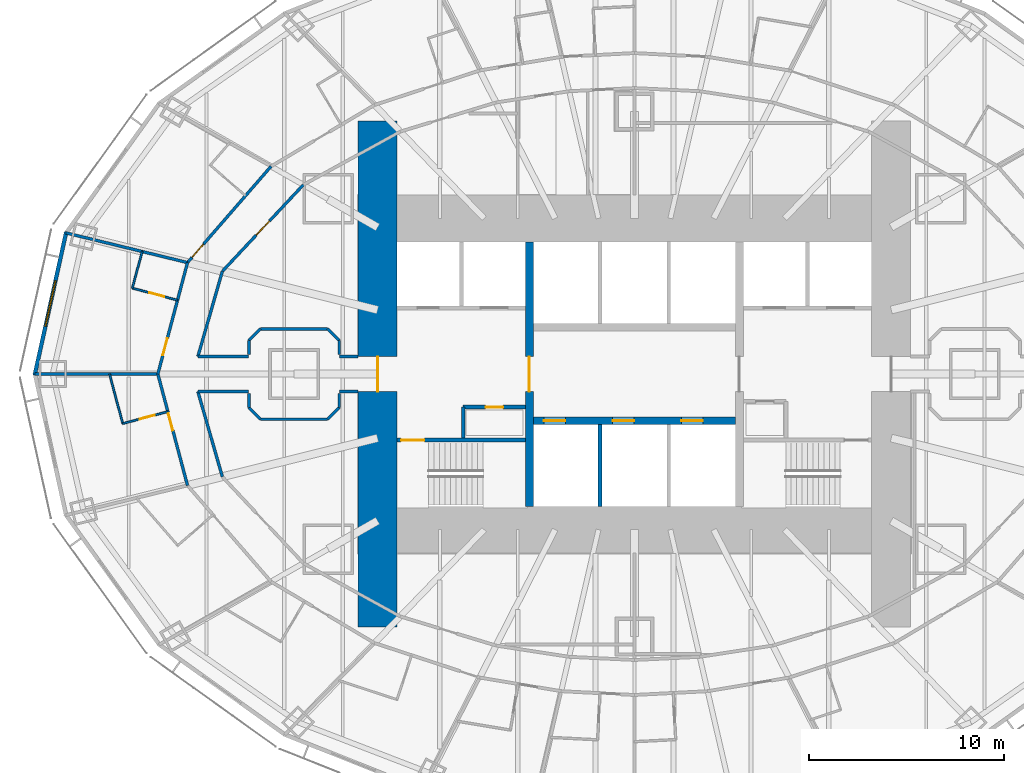
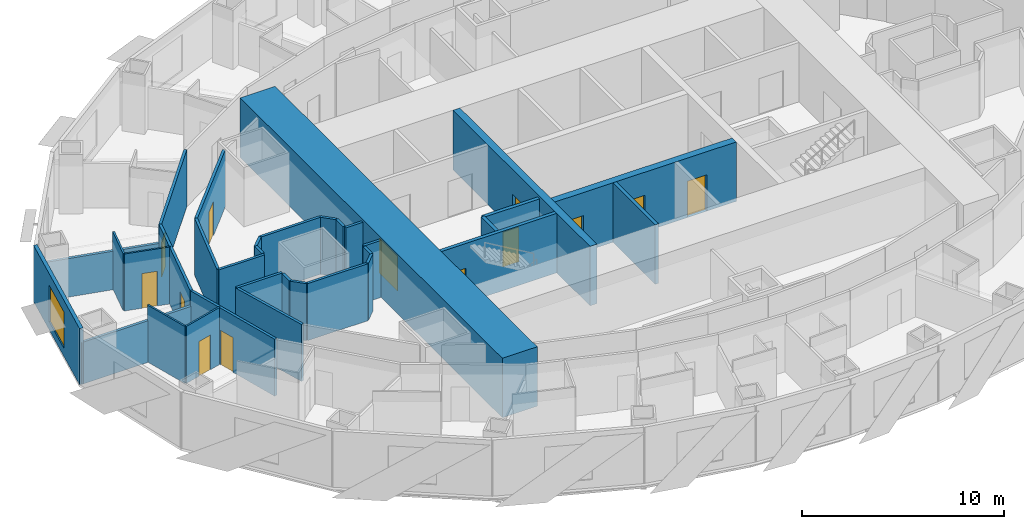
# One storey, part 6 of 15: 34 walls, 13 doors, 1 window, 14 openings.
"""IFC4 building model written with IfcOpenShell, lengths in metres."""

from ifc_helpers import new_model, si_unit, direction, frame, frame_2d, origin, place, context, subcontext, project, spatial, rectangle, extrude, material, layer, layer_set, type_object, element, fill, save


model = new_model("IFC4")

# Units and contexts
model_context = context("Model", 3, precision=1e-05, world=origin(), true_north=direction((0.0, 1.0)))
body_context = subcontext(model_context, "Body", "Model", "MODEL_VIEW")
ifc_project = project(units=[si_unit("LENGTHUNIT", "METRE"), si_unit("AREAUNIT", "SQUARE_METRE"), si_unit("VOLUMEUNIT", "CUBIC_METRE"), si_unit("PLANEANGLEUNIT", "RADIAN"), si_unit("MASSUNIT", "GRAM", prefix="KILO")], contexts=[model_context])

# Site, building, storey
site_placement = place(None, origin())
site = spatial("IfcSite", under=ifc_project, at=site_placement, CompositionType="ELEMENT")
building_placement = place(site_placement, origin())
building = spatial("IfcBuilding", under=site, at=building_placement, Name="Lantaw Convention Tower", CompositionType="ELEMENT")
storey_placement = place(building_placement, frame((0.0, 0.0, 65.800048828125)))
storey = spatial("IfcBuildingStorey", under=building, at=storey_placement, Name="L14", CompositionType="ELEMENT", Elevation=65.800048828125)

# Wall, opening, door
ifc_material_1 = material(Name="Moisture resistant gypsum board on steel studs", Category="steel")
ifc_layer_1 = layer(ifc_material_1, 0.10009765625)
ifc_layer_set_1 = layer_set([ifc_layer_1], Name="Bathroom wall 100")
wall_type_1 = type_object("IfcWallType", Name="Bathroom wall 100", PredefinedType="PARTITIONING", material=ifc_layer_set_1)
wall_1_placement = place(storey_placement, frame((-23.490234375, 3.7958984375, 0.0), z_axis=(0.0, 0.0, 1.0), x_axis=(-0.96639514992, 0.257061109879, 0.0)))
wall_1 = element("IfcWall", 1, at=wall_1_placement, inside=storey, type_object=wall_type_1, Name="Bathroom wall 100", PredefinedType="PARTITIONING", context=body_context, shape_type="SweptSolid", body=[
    extrude(rectangle(XDim=2.39990234375, YDim=0.10009765625, at=frame_2d((1.199951171875, 0.0))), origin(), (0.0, 0.0, 1.0), 3.449951171875),
])
opening_1_placement = place(wall_1_placement, frame((0.699951171875, 0.0, 0.0)))
opening_1 = element("IfcOpeningElement", 2, at=opening_1_placement, cuts=wall_1, Name="Opening L14.42", PredefinedType="OPENING", context=body_context, shape_type="SweptSolid", body=[
    extrude(rectangle(XDim=0.800048828125, YDim=2.10009765625, at=frame_2d((0.39990234375, 1.050048828125))), frame((0.0, 0.06005859375, 0.0), z_axis=(0.0, -1.0, 0.0), x_axis=(1.0, 0.0, 0.0)), (0.0, 0.0, 1.0), 0.1201171875),
])
ifc_material_2 = material(Name="Timber", Category="wood")
door_type_1 = type_object("IfcDoorType", Name="Bathroom door 800", OperationType="SINGLE_SWING_LEFT", PredefinedType="DOOR", material=ifc_material_2)
door_1_placement = place(opening_1_placement, origin())
door_1 = element("IfcDoor", 3, at=door_1_placement, inside=storey, type_object=door_type_1, Name="Bathroom door", OperationType="SINGLE_SWING_LEFT", OverallHeight=2.10009765625, OverallWidth=0.800048828125, PredefinedType="DOOR", context=body_context, shape_type="SweptSolid", body=[
    extrude(rectangle(XDim=0.800048828125, YDim=2.10009765625, at=frame_2d((0.39990234375, 1.050048828125))), frame((0.0, 0.02490234375, 0.0), z_axis=(0.0, -1.0, 0.0), x_axis=(1.0, 0.0, 0.0)), (0.0, 0.0, 1.0), 0.050048828125),
])
fill(opening_1, door_1)

# Wall
wall_2_placement = place(storey_placement, frame((-25.8095703125, 4.412841796875, 0.0), z_axis=(0.0, 0.0, 1.0), x_axis=(0.257143831715, 0.96637314212, 0.0)))
element("IfcWall", 4, at=wall_2_placement, inside=storey, type_object=wall_type_1, Name="Bathroom wall 100", PredefinedType="PARTITIONING", context=body_context, shape_type="SweptSolid", body=[
    extrude(rectangle(XDim=1.96240234375, YDim=0.10009765625, at=frame_2d((0.981201171875, 0.0))), origin(), (0.0, 0.0, 1.0), 3.449951171875),
])

# Wall, opening, door
wall_3_placement = place(storey_placement, frame((-23.98583984375, -1.932861328125, 0.0), z_axis=(0.0, 0.0, 1.0), x_axis=(-0.96639514992, -0.257061109879, 0.0)))
wall_3 = element("IfcWall", 5, at=wall_3_placement, inside=storey, type_object=wall_type_1, Name="Bathroom wall 100", PredefinedType="PARTITIONING", context=body_context, shape_type="SweptSolid", body=[
    extrude(rectangle(XDim=2.39990234375, YDim=0.10009765625, at=frame_2d((1.199951171875, 0.0))), origin(), (0.0, 0.0, 1.0), 3.449951171875),
])
opening_2_placement = place(wall_3_placement, frame((0.699951171875, 0.0, 0.0)))
opening_2 = element("IfcOpeningElement", 6, at=opening_2_placement, cuts=wall_3, Name="Opening L14.44", PredefinedType="OPENING", context=body_context, shape_type="SweptSolid", body=[
    extrude(rectangle(XDim=0.800048828125, YDim=2.10009765625, at=frame_2d((0.39990234375, 1.050048828125))), frame((0.0, 0.06005859375, 0.0), z_axis=(0.0, -1.0, 0.0), x_axis=(1.0, 0.0, 0.0)), (0.0, 0.0, 1.0), 0.1201171875),
])
door_2_placement = place(opening_2_placement, origin())
door_2 = element("IfcDoor", 7, at=door_2_placement, inside=storey, type_object=door_type_1, Name="Bathroom door", OperationType="SINGLE_SWING_LEFT", OverallHeight=2.10009765625, OverallWidth=0.800048828125, PredefinedType="DOOR", context=body_context, shape_type="SweptSolid", body=[
    extrude(rectangle(XDim=0.800048828125, YDim=2.10009765625, at=frame_2d((0.39990234375, 1.050048828125))), frame((0.0, 0.02490234375, 0.0), z_axis=(0.0, -1.0, 0.0), x_axis=(1.0, 0.0, 0.0)), (0.0, 0.0, 1.0), 0.050048828125),
])
fill(opening_2, door_2)

# Wall
wall_4_placement = place(storey_placement, frame((-26.30517578125, -2.5498046875, 0.0), z_axis=(0.0, 0.0, 1.0), x_axis=(-0.257052122515, 0.966397540513, 0.0)))
element("IfcWall", 8, at=wall_4_placement, inside=storey, type_object=wall_type_1, Name="Bathroom wall 100", PredefinedType="PARTITIONING", context=body_context, shape_type="SweptSolid", body=[
    extrude(rectangle(XDim=2.638427734375, YDim=0.10009765625, at=frame_2d((1.3193359375, 0.0))), origin(), (0.0, 0.0, 1.0), 3.449951171875),
])

# Wall, opening, door
ifc_material_3 = material(Name="Concrete C60/75", Category="concrete")
ifc_layer_2 = layer(ifc_material_3, 0.199951171875)
ifc_layer_set_2 = layer_set([ifc_layer_2], Name="Core wall 200")
wall_type_2 = type_object("IfcWallType", Name="Core wall 200", PredefinedType="SHEAR", material=ifc_layer_set_2)
wall_5_placement = place(storey_placement, frame((-5.60009765625, -3.39990234375, 0.0), z_axis=(0.0, 0.0, 1.0), x_axis=(-1.0, 0.0, 0.0)))
wall_5 = element("IfcWall", 9, at=wall_5_placement, inside=storey, type_object=wall_type_2, Name="Core wall WS", PredefinedType="SHEAR", context=body_context, shape_type="SweptSolid", body=[
    extrude(rectangle(XDim=6.599853515625, YDim=0.199951171875, at=frame_2d((3.2998046875, 0.0))), origin(), (0.0, 0.0, 1.0), 3.599853515625),
])
opening_3_placement = place(wall_5_placement, frame((5.199951171875, 0.0, 0.0)))
opening_3 = element("IfcOpeningElement", 10, at=opening_3_placement, cuts=wall_5, Name="Opening L14.06", PredefinedType="OPENING", context=body_context, shape_type="SweptSolid", body=[
    extrude(rectangle(XDim=1.199951171875, YDim=2.10009765625, at=frame_2d((0.60009765625, 1.050048828125))), frame((0.0, 0.10986328125, 0.0), z_axis=(0.0, -1.0, 0.0), x_axis=(1.0, 0.0, 0.0)), (0.0, 0.0, 1.0), 0.219970703125),
])
ifc_material_4 = material(Name="Steel, fire rated", Category="steel")
door_type_2 = type_object("IfcDoorType", Name="Stair door FD90", OperationType="SINGLE_SWING_RIGHT", PredefinedType="DOOR", material=ifc_material_4)
door_3_placement = place(opening_3_placement, origin())
door_3 = element("IfcDoor", 11, at=door_3_placement, inside=storey, type_object=door_type_2, Name="Exit stair door", OperationType="SINGLE_SWING_RIGHT", OverallHeight=2.10009765625, OverallWidth=1.199951171875, PredefinedType="DOOR", context=body_context, shape_type="SweptSolid", body=[
    extrude(rectangle(XDim=1.199951171875, YDim=2.10009765625, at=frame_2d((0.60009765625, 1.050048828125))), frame((0.0, 0.02490234375, 0.0), z_axis=(0.0, -1.0, 0.0), x_axis=(1.0, 0.0, 0.0)), (0.0, 0.0, 1.0), 0.050048828125),
])
fill(opening_3, door_3)

ifc_layer_3 = layer(ifc_material_3, 2.0)
ifc_layer_set_3 = layer_set([ifc_layer_3], Name="Core wall 2000")
wall_type_3 = type_object("IfcWallType", Name="Core wall 2000", PredefinedType="SHEAR", material=ifc_layer_set_3)
wall_6_placement = place(storey_placement, frame((-13.199951171875, 13.0, 0.0), z_axis=(0.0, 0.0, 1.0), x_axis=(0.0, -1.0, 0.0)))
wall_6 = element("IfcWall", 12, at=wall_6_placement, inside=storey, type_object=wall_type_3, Name="Core wall W", PredefinedType="SHEAR", context=body_context, shape_type="SweptSolid", body=[
    extrude(rectangle(XDim=26.0, YDim=2.0, at=frame_2d((13.0, 0.0))), origin(), (0.0, 0.0, 1.0), 3.599853515625),
])
opening_4_placement = place(wall_6_placement, frame((12.10009765625, 0.0, 0.0)))
opening_4 = element("IfcOpeningElement", 13, at=opening_4_placement, cuts=wall_6, Name="Opening L14.08", PredefinedType="OPENING", context=body_context, shape_type="SweptSolid", body=[
    extrude(rectangle(XDim=1.800048828125, YDim=2.10009765625, at=frame_2d((0.89990234375, 1.050048828125))), frame((0.0, 1.010009765625, 0.0), z_axis=(0.0, -1.0, 0.0), x_axis=(1.0, 0.0, 0.0)), (0.0, 0.0, 1.0), 2.02001953125),
])
door_type_3 = type_object("IfcDoorType", Name="Lobby double door FD90", OperationType="DOUBLE_DOOR_DOUBLE_SWING", PredefinedType="DOOR", material=ifc_material_4)
door_4_placement = place(opening_4_placement, origin())
door_4 = element("IfcDoor", 14, at=door_4_placement, inside=storey, type_object=door_type_3, Name="Firefighting lobby door", OperationType="DOUBLE_DOOR_DOUBLE_SWING", OverallHeight=2.10009765625, OverallWidth=1.800048828125, PredefinedType="DOOR", context=body_context, shape_type="SweptSolid", body=[
    extrude(rectangle(XDim=1.800048828125, YDim=2.10009765625, at=frame_2d((0.89990234375, 1.050048828125))), frame((0.0, 0.02490234375, 0.0), z_axis=(0.0, -1.0, 0.0), x_axis=(1.0, 0.0, 0.0)), (0.0, 0.0, 1.0), 0.050048828125),
])
fill(opening_4, door_4)

ifc_layer_4 = layer(ifc_material_3, 0.39990234375)
ifc_layer_set_4 = layer_set([ifc_layer_4], Name="Core wall 400")
wall_type_4 = type_object("IfcWallType", Name="Core wall 400", PredefinedType="SHEAR", material=ifc_layer_set_4)
wall_7_placement = place(storey_placement, frame((-5.39990234375, 6.800048828125, 0.0), z_axis=(0.0, 0.0, 1.0), x_axis=(0.0, -1.0, 0.0)))
wall_7 = element("IfcWall", 15, at=wall_7_placement, inside=storey, type_object=wall_type_4, Name="Core wall XW", PredefinedType="SHEAR", context=body_context, shape_type="SweptSolid", body=[
    extrude(rectangle(XDim=13.60009765625, YDim=0.39990234375, at=frame_2d((6.800048828125, 0.0))), origin(), (0.0, 0.0, 1.0), 3.599853515625),
])
opening_5_placement = place(wall_7_placement, frame((5.89990234375, 0.0, 0.0)))
opening_5 = element("IfcOpeningElement", 16, at=opening_5_placement, cuts=wall_7, Name="Opening L14.04", PredefinedType="OPENING", context=body_context, shape_type="SweptSolid", body=[
    extrude(rectangle(XDim=1.800048828125, YDim=2.10009765625, at=frame_2d((0.89990234375, 1.050048828125))), frame((0.0, 0.2099609375, 0.0), z_axis=(0.0, -1.0, 0.0), x_axis=(1.0, 0.0, 0.0)), (0.0, 0.0, 1.0), 0.419921875),
])
door_5_placement = place(opening_5_placement, origin())
door_5 = element("IfcDoor", 17, at=door_5_placement, inside=storey, type_object=door_type_3, Name="Lift lobby door", OperationType="DOUBLE_DOOR_DOUBLE_SWING", OverallHeight=2.10009765625, OverallWidth=1.800048828125, PredefinedType="DOOR", context=body_context, shape_type="SweptSolid", body=[
    extrude(rectangle(XDim=1.800048828125, YDim=2.10009765625, at=frame_2d((0.89990234375, 1.050048828125))), frame((0.0, 0.02490234375, 0.0), z_axis=(0.0, -1.0, 0.0), x_axis=(1.0, 0.0, 0.0)), (0.0, 0.0, 1.0), 0.050048828125),
])
fill(opening_5, door_5)

# Wall, openings, doors
wall_8_placement = place(storey_placement, frame((-5.199951171875, -2.39990234375, 0.0), z_axis=(0.0, 0.0, 1.0), x_axis=(1.0, 0.0, 0.0)))
wall_8 = element("IfcWall", 18, at=wall_8_placement, inside=storey, type_object=wall_type_4, Name="Core wall BS", PredefinedType="SHEAR", context=body_context, shape_type="SweptSolid", body=[
    extrude(rectangle(XDim=10.39990234375, YDim=0.39990234375, at=frame_2d((5.199951171875, 0.0))), origin(), (0.0, 0.0, 1.0), 3.599853515625),
])
opening_6_placement = place(wall_8_placement, frame((0.550048828125, 0.0, 0.0)))
opening_6 = element("IfcOpeningElement", 19, at=opening_6_placement, cuts=wall_8, Name="Opening L14.09", PredefinedType="OPENING", context=body_context, shape_type="SweptSolid", body=[
    extrude(rectangle(XDim=1.10009765625, YDim=2.199951171875, at=frame_2d((0.550048828125, 1.10009765625))), frame((0.0, 0.2099609375, 0.0), z_axis=(0.0, -1.0, 0.0), x_axis=(1.0, 0.0, 0.0)), (0.0, 0.0, 1.0), 0.419921875),
])
opening_7_placement = place(wall_8_placement, frame((4.083251953125, 0.0, 0.0)))
opening_7 = element("IfcOpeningElement", 20, at=opening_7_placement, cuts=wall_8, Name="Opening L14.10", PredefinedType="OPENING", context=body_context, shape_type="SweptSolid", body=[
    extrude(rectangle(XDim=1.10009765625, YDim=2.199951171875, at=frame_2d((0.550048828125, 1.10009765625))), frame((0.0, 0.2099609375, 0.0), z_axis=(0.0, -1.0, 0.0), x_axis=(1.0, 0.0, 0.0)), (0.0, 0.0, 1.0), 0.419921875),
])
opening_8_placement = place(wall_8_placement, frame((7.61669921875, 0.0, 0.0)))
opening_8 = element("IfcOpeningElement", 21, at=opening_8_placement, cuts=wall_8, Name="Opening L14.11", PredefinedType="OPENING", context=body_context, shape_type="SweptSolid", body=[
    extrude(rectangle(XDim=1.10009765625, YDim=2.199951171875, at=frame_2d((0.550048828125, 1.10009765625))), frame((0.0, 0.2099609375, 0.0), z_axis=(0.0, -1.0, 0.0), x_axis=(1.0, 0.0, 0.0)), (0.0, 0.0, 1.0), 0.419921875),
])
ifc_material_5 = material(Name="Stainless steel", Category="steel")
door_type_4 = type_object("IfcDoorType", Name="Lift landing door 1100", OperationType="DOUBLE_DOOR_SLIDING", PredefinedType="DOOR", material=ifc_material_5)
door_6_placement = place(opening_6_placement, origin())
door_6 = element("IfcDoor", 22, at=door_6_placement, inside=storey, type_object=door_type_4, Name="Lift landing door H1", OperationType="DOUBLE_DOOR_SLIDING", OverallHeight=2.199951171875, OverallWidth=1.10009765625, PredefinedType="DOOR", context=body_context, shape_type="SweptSolid", body=[
    extrude(rectangle(XDim=1.10009765625, YDim=2.199951171875, at=frame_2d((0.550048828125, 1.10009765625))), frame((0.0, 0.02490234375, 0.0), z_axis=(0.0, -1.0, 0.0), x_axis=(1.0, 0.0, 0.0)), (0.0, 0.0, 1.0), 0.050048828125),
])
fill(opening_6, door_6)
door_7_placement = place(opening_7_placement, origin())
door_7 = element("IfcDoor", 23, at=door_7_placement, inside=storey, type_object=door_type_4, Name="Lift landing door H2", OperationType="DOUBLE_DOOR_SLIDING", OverallHeight=2.199951171875, OverallWidth=1.10009765625, PredefinedType="DOOR", context=body_context, shape_type="SweptSolid", body=[
    extrude(rectangle(XDim=1.10009765625, YDim=2.199951171875, at=frame_2d((0.550048828125, 1.10009765625))), frame((0.0, 0.02490234375, 0.0), z_axis=(0.0, -1.0, 0.0), x_axis=(1.0, 0.0, 0.0)), (0.0, 0.0, 1.0), 0.050048828125),
])
fill(opening_7, door_7)
door_8_placement = place(opening_8_placement, origin())
door_8 = element("IfcDoor", 24, at=door_8_placement, inside=storey, type_object=door_type_4, Name="Lift landing door H3", OperationType="DOUBLE_DOOR_SLIDING", OverallHeight=2.199951171875, OverallWidth=1.10009765625, PredefinedType="DOOR", context=body_context, shape_type="SweptSolid", body=[
    extrude(rectangle(XDim=1.10009765625, YDim=2.199951171875, at=frame_2d((0.550048828125, 1.10009765625))), frame((0.0, 0.02490234375, 0.0), z_axis=(0.0, -1.0, 0.0), x_axis=(1.0, 0.0, 0.0)), (0.0, 0.0, 1.0), 0.050048828125),
])
fill(opening_8, door_8)

# Wall, opening, door
ifc_material_6 = material(Name="Gypsum board on steel studs, fire rated", Category="steel")
ifc_layer_5 = layer(ifc_material_6, 0.14990234375)
ifc_layer_set_5 = layer_set([ifc_layer_5], Name="Corridor wall 150 EI 60")
wall_type_5 = type_object("IfcWallType", Name="Corridor wall 150 EI 60", PredefinedType="PARTITIONING", material=ifc_layer_set_5)
wall_9_placement = place(storey_placement, frame((-18.681396484375, 10.675048828125, 0.0), z_axis=(0.0, 0.0, 1.0), x_axis=(-0.655599989166, -0.755108372491, 0.0)))
wall_9 = element("IfcWall", 25, at=wall_9_placement, inside=storey, type_object=wall_type_5, Name="Corridor wall 150", PredefinedType="PARTITIONING", context=body_context, shape_type="SweptSolid", body=[
    extrude(rectangle(XDim=6.55078125, YDim=0.14990234375, at=frame_2d((3.275390625, 0.0))), origin(), (0.0, 0.0, 1.0), 3.449951171875),
])
opening_9_placement = place(wall_9_placement, frame((5.30078125, 0.0, 0.0)))
opening_9 = element("IfcOpeningElement", 26, at=opening_9_placement, cuts=wall_9, Name="Opening L14.41", PredefinedType="OPENING", context=body_context, shape_type="SweptSolid", body=[
    extrude(rectangle(XDim=0.89990234375, YDim=2.10009765625, at=frame_2d((0.449951171875, 1.050048828125))), frame((0.0, 0.0849609375, 0.0), z_axis=(0.0, -1.0, 0.0), x_axis=(1.0, 0.0, 0.0)), (0.0, 0.0, 1.0), 0.169921875),
])
door_type_5 = type_object("IfcDoorType", Name="Guest room entrance door FD30S", OperationType="SINGLE_SWING_LEFT", PredefinedType="DOOR", material=ifc_material_4)
door_9_placement = place(opening_9_placement, origin())
door_9 = element("IfcDoor", 27, at=door_9_placement, inside=storey, type_object=door_type_5, Name="Guest room entrance door", OperationType="SINGLE_SWING_LEFT", OverallHeight=2.10009765625, OverallWidth=0.89990234375, PredefinedType="DOOR", context=body_context, shape_type="SweptSolid", body=[
    extrude(rectangle(XDim=0.89990234375, YDim=2.10009765625, at=frame_2d((0.449951171875, 1.050048828125))), frame((0.0, 0.02490234375, 0.0), z_axis=(0.0, -1.0, 0.0), x_axis=(1.0, 0.0, 0.0)), (0.0, 0.0, 1.0), 0.050048828125),
])
fill(opening_9, door_9)

wall_10_placement = place(storey_placement, frame((-22.97607421875, 5.728515625, 0.0), z_axis=(0.0, 0.0, 1.0), x_axis=(-0.257083265334, -0.966389256296, 0.0)))
wall_10 = element("IfcWall", 28, at=wall_10_placement, inside=storey, type_object=wall_type_5, Name="Corridor wall 150", PredefinedType="PARTITIONING", context=body_context, shape_type="SweptSolid", body=[
    extrude(rectangle(XDim=5.927734375, YDim=0.14990234375, at=frame_2d((2.9638671875, 0.0))), origin(), (0.0, 0.0, 1.0), 3.449951171875),
])
opening_10_placement = place(wall_10_placement, frame((4.023193359375, 0.0, 0.0)))
opening_10 = element("IfcOpeningElement", 29, at=opening_10_placement, cuts=wall_10, Name="Opening L14.43", PredefinedType="OPENING", context=body_context, shape_type="SweptSolid", body=[
    extrude(rectangle(XDim=0.89990234375, YDim=2.10009765625, at=frame_2d((0.449951171875, 1.050048828125))), frame((0.0, 0.0849609375, 0.0), z_axis=(0.0, -1.0, 0.0), x_axis=(1.0, 0.0, 0.0)), (0.0, 0.0, 1.0), 0.169921875),
])
door_10_placement = place(opening_10_placement, origin())
door_10 = element("IfcDoor", 30, at=door_10_placement, inside=storey, type_object=door_type_5, Name="Guest room entrance door", OperationType="SINGLE_SWING_LEFT", OverallHeight=2.10009765625, OverallWidth=0.89990234375, PredefinedType="DOOR", context=body_context, shape_type="SweptSolid", body=[
    extrude(rectangle(XDim=0.89990234375, YDim=2.10009765625, at=frame_2d((0.449951171875, 1.050048828125))), frame((0.0, 0.02490234375, 0.0), z_axis=(0.0, -1.0, 0.0), x_axis=(1.0, 0.0, 0.0)), (0.0, 0.0, 1.0), 0.050048828125),
])
fill(opening_10, door_10)

wall_11_placement = place(storey_placement, frame((-24.5, 0.0, 0.0), z_axis=(0.0, 0.0, 1.0), x_axis=(0.257083265334, -0.966389256296, 0.0)))
wall_11 = element("IfcWall", 31, at=wall_11_placement, inside=storey, type_object=wall_type_5, Name="Corridor wall 150", PredefinedType="PARTITIONING", context=body_context, shape_type="SweptSolid", body=[
    extrude(rectangle(XDim=5.927734375, YDim=0.14990234375, at=frame_2d((2.9638671875, 0.0))), origin(), (0.0, 0.0, 1.0), 3.449951171875),
])
opening_11_placement = place(wall_11_placement, frame((2.10009765625, 0.0, 0.0)))
opening_11 = element("IfcOpeningElement", 32, at=opening_11_placement, cuts=wall_11, Name="Opening L14.45", PredefinedType="OPENING", context=body_context, shape_type="SweptSolid", body=[
    extrude(rectangle(XDim=0.89990234375, YDim=2.10009765625, at=frame_2d((0.449951171875, 1.050048828125))), frame((0.0, 0.0849609375, 0.0), z_axis=(0.0, -1.0, 0.0), x_axis=(1.0, 0.0, 0.0)), (0.0, 0.0, 1.0), 0.169921875),
])
door_11_placement = place(opening_11_placement, origin())
door_11 = element("IfcDoor", 33, at=door_11_placement, inside=storey, type_object=door_type_5, Name="Guest room entrance door", OperationType="SINGLE_SWING_LEFT", OverallHeight=2.10009765625, OverallWidth=0.89990234375, PredefinedType="DOOR", context=body_context, shape_type="SweptSolid", body=[
    extrude(rectangle(XDim=0.89990234375, YDim=2.10009765625, at=frame_2d((0.449951171875, 1.050048828125))), frame((0.0, 0.02490234375, 0.0), z_axis=(0.0, -1.0, 0.0), x_axis=(1.0, 0.0, 0.0)), (0.0, 0.0, 1.0), 0.050048828125),
])
fill(opening_11, door_11)

wall_12_placement = place(storey_placement, frame((-17.020751953125, 9.72607421875, 0.0), z_axis=(0.0, 0.0, 1.0), x_axis=(-0.68365836236, -0.729802194828, 0.0)))
wall_12 = element("IfcWall", 34, at=wall_12_placement, inside=storey, type_object=wall_type_5, Name="Corridor wall 150", PredefinedType="PARTITIONING", context=body_context, shape_type="SweptSolid", body=[
    extrude(rectangle(XDim=6.08984375, YDim=0.14990234375, at=frame_2d((3.044921875, 0.0))), origin(), (0.0, 0.0, 1.0), 3.449951171875),
])
opening_12_placement = place(wall_12_placement, frame((2.544921875, 0.0, 0.0)))
opening_12 = element("IfcOpeningElement", 35, at=opening_12_placement, cuts=wall_12, Name="Opening L14.21", PredefinedType="OPENING", context=body_context, shape_type="SweptSolid", body=[
    extrude(rectangle(XDim=1.0, YDim=2.10009765625, at=frame_2d((0.5, 1.050048828125))), frame((0.0, 0.0849609375, 0.0), z_axis=(0.0, -1.0, 0.0), x_axis=(1.0, 0.0, 0.0)), (0.0, 0.0, 1.0), 0.169921875),
])
door_type_6 = type_object("IfcDoorType", Name="Service door 1000 FD30", OperationType="SINGLE_SWING_LEFT", PredefinedType="DOOR", material=ifc_material_4)
door_12_placement = place(opening_12_placement, origin())
door_12 = element("IfcDoor", 36, at=door_12_placement, inside=storey, type_object=door_type_6, Name="Housekeeping room door", OperationType="SINGLE_SWING_LEFT", OverallHeight=2.10009765625, OverallWidth=1.0, PredefinedType="DOOR", context=body_context, shape_type="SweptSolid", body=[
    extrude(rectangle(XDim=1.0, YDim=2.10009765625, at=frame_2d((0.5, 1.050048828125))), frame((0.0, 0.02490234375, 0.0), z_axis=(0.0, -1.0, 0.0), x_axis=(1.0, 0.0, 0.0)), (0.0, 0.0, 1.0), 0.050048828125),
])
fill(opening_12, door_12)

# Walls
for number, where, z_axis, x_axis, name in (
    (37, (-21.18408203125, 5.28173828125, 0.0), (0.0, 0.0, 1.0), (-0.27585972825, -0.961197903831, 0.0), "Corridor wall 150"),
    (38, (-22.441650390625, -0.89990234375, 0.0), (0.0, 0.0, 1.0), (0.27585972825, -0.961197903831, 0.0), "Corridor wall 150"),
):
    element("IfcWall", number, at=place(storey_placement, frame(where, z_axis=z_axis, x_axis=x_axis)), inside=storey, type_object=wall_type_5, Name=name, PredefinedType="PARTITIONING", context=body_context, shape_type="SweptSolid", body=[
        extrude(rectangle(XDim=4.558837890625, YDim=0.14990234375, at=frame_2d((2.279296875, 0.0))), origin(), (0.0, 0.0, 1.0), 3.449951171875),
    ])
wall_13_placement = place(storey_placement, frame((-14.199951171875, -0.89990234375, 0.0), z_axis=(0.0, 0.0, 1.0), x_axis=(-1.0, 0.0, 0.0)))
element("IfcWall", 39, at=wall_13_placement, inside=storey, type_object=wall_type_5, Name="Corridor wall 150", PredefinedType="PARTITIONING", context=body_context, shape_type="SweptSolid", body=[
    extrude(rectangle(XDim=0.965087890625, YDim=0.14990234375, at=frame_2d((0.482421875, 0.0))), origin(), (0.0, 0.0, 1.0), 3.449951171875),
])
wall_14_placement = place(storey_placement, frame((-19.8349609375, -0.89990234375, 0.0), z_axis=(0.0, 0.0, 1.0), x_axis=(-1.0, 0.0, 0.0)))
element("IfcWall", 40, at=wall_14_placement, inside=storey, type_object=wall_type_5, Name="Corridor wall 150", PredefinedType="PARTITIONING", context=body_context, shape_type="SweptSolid", body=[
    extrude(rectangle(XDim=2.606689453125, YDim=0.14990234375, at=frame_2d((1.30322265625, 0.0))), origin(), (0.0, 0.0, 1.0), 3.449951171875),
])
wall_15_placement = place(storey_placement, frame((-14.199951171875, 0.89990234375, 0.0), z_axis=(0.0, 0.0, 1.0), x_axis=(-1.0, 0.0, 0.0)))
element("IfcWall", 41, at=wall_15_placement, inside=storey, type_object=wall_type_5, Name="Corridor wall 150", PredefinedType="PARTITIONING", context=body_context, shape_type="SweptSolid", body=[
    extrude(rectangle(XDim=0.965087890625, YDim=0.14990234375, at=frame_2d((0.482421875, 0.0))), origin(), (0.0, 0.0, 1.0), 3.449951171875),
])
wall_16_placement = place(storey_placement, frame((-19.8349609375, 0.89990234375, 0.0), z_axis=(0.0, 0.0, 1.0), x_axis=(-1.0, 0.0, 0.0)))
element("IfcWall", 42, at=wall_16_placement, inside=storey, type_object=wall_type_5, Name="Corridor wall 150", PredefinedType="PARTITIONING", context=body_context, shape_type="SweptSolid", body=[
    extrude(rectangle(XDim=2.606689453125, YDim=0.14990234375, at=frame_2d((1.30322265625, 0.0))), origin(), (0.0, 0.0, 1.0), 3.449951171875),
])
wall_17_placement = place(storey_placement, frame((-19.824951171875, 1.003173828125, 0.0), z_axis=(0.0, 0.0, 1.0), x_axis=(0.0, 1.0, 0.0)))
element("IfcWall", 43, at=wall_17_placement, inside=storey, type_object=wall_type_5, Name="Corridor wall 150", PredefinedType="PARTITIONING", context=body_context, shape_type="SweptSolid", body=[
    extrude(rectangle(XDim=0.721435546875, YDim=0.14990234375, at=frame_2d((0.36083984375, 0.0))), origin(), (0.0, 0.0, 1.0), 3.449951171875),
])
wall_18_placement = place(storey_placement, frame((-19.824951171875, 1.724609375, 0.0), z_axis=(0.0, 0.0, 1.0), x_axis=(0.707106781187, 0.707106781187, 0.0)))
element("IfcWall", 44, at=wall_18_placement, inside=storey, type_object=wall_type_5, Name="Corridor wall 150", PredefinedType="PARTITIONING", context=body_context, shape_type="SweptSolid", body=[
    extrude(rectangle(XDim=0.84912109375, YDim=0.14990234375, at=frame_2d((0.424560546875, 0.0))), origin(), (0.0, 0.0, 1.0), 3.449951171875),
])
wall_19_placement = place(storey_placement, frame((-19.224609375, 2.324951171875, 0.0), z_axis=(0.0, 0.0, 1.0), x_axis=(1.0, 0.0, 0.0)))
element("IfcWall", 45, at=wall_19_placement, inside=storey, type_object=wall_type_5, Name="Corridor wall 150", PredefinedType="PARTITIONING", context=body_context, shape_type="SweptSolid", body=[
    extrude(rectangle(XDim=3.44921875, YDim=0.14990234375, at=frame_2d((1.724609375, 0.0))), origin(), (0.0, 0.0, 1.0), 3.449951171875),
])
wall_20_placement = place(storey_placement, frame((-15.775390625, 2.324951171875, 0.0), z_axis=(0.0, 0.0, 1.0), x_axis=(0.707106781187, -0.707106781187, 0.0)))
element("IfcWall", 46, at=wall_20_placement, inside=storey, type_object=wall_type_5, Name="Corridor wall 150", PredefinedType="PARTITIONING", context=body_context, shape_type="SweptSolid", body=[
    extrude(rectangle(XDim=0.84912109375, YDim=0.14990234375, at=frame_2d((0.424560546875, 0.0))), origin(), (0.0, 0.0, 1.0), 3.449951171875),
])
for number, where, z_axis, x_axis, name in (
    (47, (-15.175048828125, 1.724609375, 0.0), (0.0, 0.0, 1.0), (0.0, -1.0, 0.0), "Corridor wall 150"),
    (48, (-19.824951171875, -1.724609375, 0.0), (0.0, 0.0, 1.0), (0.0, 1.0, 0.0), "Corridor wall 150"),
    (49, (-15.175048828125, -1.003173828125, 0.0), (0.0, 0.0, 1.0), (0.0, -1.0, 0.0), "Corridor wall 150"),
):
    element("IfcWall", number, at=place(storey_placement, frame(where, z_axis=z_axis, x_axis=x_axis)), inside=storey, type_object=wall_type_5, Name=name, PredefinedType="PARTITIONING", context=body_context, shape_type="SweptSolid", body=[
        extrude(rectangle(XDim=0.721435546875, YDim=0.14990234375, at=frame_2d((0.36083984375, 0.0))), origin(), (0.0, 0.0, 1.0), 3.449951171875),
    ])
wall_21_placement = place(storey_placement, frame((-15.175048828125, -1.724609375, 0.0), z_axis=(0.0, 0.0, 1.0), x_axis=(-0.707106781187, -0.707106781187, 0.0)))
element("IfcWall", 50, at=wall_21_placement, inside=storey, type_object=wall_type_5, Name="Corridor wall 150", PredefinedType="PARTITIONING", context=body_context, shape_type="SweptSolid", body=[
    extrude(rectangle(XDim=0.84912109375, YDim=0.14990234375, at=frame_2d((0.424560546875, 0.0))), origin(), (0.0, 0.0, 1.0), 3.449951171875),
])
wall_22_placement = place(storey_placement, frame((-15.775390625, -2.324951171875, 0.0), z_axis=(0.0, 0.0, 1.0), x_axis=(-1.0, 0.0, 0.0)))
element("IfcWall", 51, at=wall_22_placement, inside=storey, type_object=wall_type_5, Name="Corridor wall 150", PredefinedType="PARTITIONING", context=body_context, shape_type="SweptSolid", body=[
    extrude(rectangle(XDim=3.44921875, YDim=0.14990234375, at=frame_2d((1.724609375, 0.0))), origin(), (0.0, 0.0, 1.0), 3.449951171875),
])
wall_23_placement = place(storey_placement, frame((-19.224609375, -2.324951171875, 0.0), z_axis=(0.0, 0.0, 1.0), x_axis=(-0.707106781187, 0.707106781187, 0.0)))
element("IfcWall", 52, at=wall_23_placement, inside=storey, type_object=wall_type_5, Name="Corridor wall 150", PredefinedType="PARTITIONING", context=body_context, shape_type="SweptSolid", body=[
    extrude(rectangle(XDim=0.84912109375, YDim=0.14990234375, at=frame_2d((0.424560546875, 0.0))), origin(), (0.0, 0.0, 1.0), 3.449951171875),
])

# Wall, opening, window
ifc_material_7 = material(Name="Insulated aluminium panel on steel frame", Category="steel")
ifc_layer_6 = layer(ifc_material_7, 0.199951171875)
ifc_layer_set_6 = layer_set([ifc_layer_6], Name="External wall 200")
wall_type_6 = type_object("IfcWallType", Name="External wall 200", PredefinedType="SOLIDWALL", material=ifc_layer_set_6)
wall_24_placement = place(storey_placement, frame((-29.207763671875, 7.318115234375, 0.0), z_axis=(0.0, 0.0, 1.0), x_axis=(-0.215238065514, -0.976561608478, 0.0)))
wall_24 = element("IfcWall", 53, at=wall_24_placement, inside=storey, type_object=wall_type_6, Name="Facade panel wall", PredefinedType="SOLIDWALL", context=body_context, shape_type="SweptSolid", body=[
    extrude(rectangle(XDim=7.562255859375, YDim=0.199951171875, at=frame_2d((3.78125, 0.0))), origin(), (0.0, 0.0, 1.0), 3.39990234375),
])
opening_13_placement = place(wall_24_placement, frame((2.581298828125, 0.0, 0.5)))
opening_13 = element("IfcOpeningElement", 54, at=opening_13_placement, cuts=wall_24, Name="Opening W1", PredefinedType="OPENING", context=body_context, shape_type="SweptSolid", body=[
    extrude(rectangle(XDim=2.39990234375, YDim=2.199951171875, at=frame_2d((1.199951171875, 1.10009765625))), frame((0.0, 0.10986328125, 0.0), z_axis=(0.0, -1.0, 0.0), x_axis=(1.0, 0.0, 0.0)), (0.0, 0.0, 1.0), 0.219970703125),
])
ifc_material_8 = material(Name="Aluminium frame, clear insulating glass", Category="aluminium")
window_type = type_object("IfcWindowType", Name="Guest room window 2400x2200", PartitioningType="SINGLE_PANEL", PredefinedType="WINDOW", material=ifc_material_8)
window_placement = place(opening_13_placement, origin())
window = element("IfcWindow", 55, at=window_placement, inside=storey, type_object=window_type, Name="Guest room window", OverallHeight=2.199951171875, OverallWidth=2.39990234375, PartitioningType="SINGLE_PANEL", PredefinedType="WINDOW", context=body_context, shape_type="SweptSolid", body=[
    extrude(rectangle(XDim=2.39990234375, YDim=2.199951171875, at=frame_2d((1.199951171875, 1.10009765625))), frame((0.0, 0.030029296875, 0.0), z_axis=(0.0, -1.0, 0.0), x_axis=(1.0, 0.0, 0.0)), (0.0, 0.0, 1.0), 0.06005859375),
])
fill(opening_13, window)

# Walls
ifc_material_9 = material(Name="Gypsum board on steel studs, acoustic", Category="steel")
ifc_layer_7 = layer(ifc_material_9, 0.14990234375)
ifc_layer_set_7 = layer_set([ifc_layer_7], Name="Guest room party wall 150")
wall_type_7 = type_object("IfcWallType", Name="Guest room party wall 150", PredefinedType="PARTITIONING", material=ifc_layer_set_7)
wall_25_placement = place(storey_placement, frame((-29.221923828125, 7.253662109375, 0.0), z_axis=(0.0, 0.0, 1.0), x_axis=(0.971456980633, -0.237215797913, 0.0)))
element("IfcWall", 56, at=wall_25_placement, inside=storey, type_object=wall_type_7, Name="Guest room party wall 150", PredefinedType="PARTITIONING", context=body_context, shape_type="SweptSolid", body=[
    extrude(rectangle(XDim=6.429443359375, YDim=0.14990234375, at=frame_2d((3.21484375, 0.0))), origin(), (0.0, 0.0, 1.0), 2.332275390625),
])
wall_26_placement = place(storey_placement, frame((-30.82080078125, 0.0, 0.0), z_axis=(0.0, 0.0, 1.0), x_axis=(1.0, 0.0, 0.0)))
element("IfcWall", 57, at=wall_26_placement, inside=storey, type_object=wall_type_7, Name="Guest room party wall 150", PredefinedType="PARTITIONING", context=body_context, shape_type="SweptSolid", body=[
    extrude(rectangle(XDim=6.32080078125, YDim=0.14990234375, at=frame_2d((3.160400390625, 0.0))), origin(), (0.0, 0.0, 1.0), 2.52783203125),
])

# Wall, opening, door
ifc_material_10 = material(Name="Concrete blockwork, fire rated", Category="masonry")
ifc_layer_8 = layer(ifc_material_10, 0.199951171875)
ifc_layer_set_8 = layer_set([ifc_layer_8], Name="Plant room wall 200 EI 120")
wall_type_8 = type_object("IfcWallType", Name="Plant room wall 200 EI 120", PredefinedType="SOLIDWALL", material=ifc_layer_set_8)
wall_27_placement = place(storey_placement, frame((-5.60009765625, -1.699951171875, 0.0), z_axis=(0.0, 0.0, 1.0), x_axis=(-1.0, 0.0, 0.0)))
wall_27 = element("IfcWall", 58, at=wall_27_placement, inside=storey, type_object=wall_type_8, Name="Plant room wall 200", PredefinedType="SOLIDWALL", context=body_context, shape_type="SweptSolid", body=[
    extrude(rectangle(XDim=3.199951171875, YDim=0.199951171875, at=frame_2d((1.60009765625, 0.0))), origin(), (0.0, 0.0, 1.0), 3.449951171875),
])
opening_14_placement = place(wall_27_placement, frame((1.14990234375, 0.0, 0.0)))
opening_14 = element("IfcOpeningElement", 59, at=opening_14_placement, cuts=wall_27, Name="Opening L14.01", PredefinedType="OPENING", context=body_context, shape_type="SweptSolid", body=[
    extrude(rectangle(XDim=0.89990234375, YDim=2.10009765625, at=frame_2d((0.449951171875, 1.050048828125))), frame((0.0, 0.10986328125, 0.0), z_axis=(0.0, -1.0, 0.0), x_axis=(1.0, 0.0, 0.0)), (0.0, 0.0, 1.0), 0.219970703125),
])
door_type_7 = type_object("IfcDoorType", Name="Service door 900 FD60", OperationType="SINGLE_SWING_LEFT", PredefinedType="DOOR", material=ifc_material_4)
door_13_placement = place(opening_14_placement, origin())
door_13 = element("IfcDoor", 60, at=door_13_placement, inside=storey, type_object=door_type_7, Name="IT and comms room door", OperationType="SINGLE_SWING_LEFT", OverallHeight=2.10009765625, OverallWidth=0.89990234375, PredefinedType="DOOR", context=body_context, shape_type="SweptSolid", body=[
    extrude(rectangle(XDim=0.89990234375, YDim=2.10009765625, at=frame_2d((0.449951171875, 1.050048828125))), frame((0.0, 0.02490234375, 0.0), z_axis=(0.0, -1.0, 0.0), x_axis=(1.0, 0.0, 0.0)), (0.0, 0.0, 1.0), 0.050048828125),
])
fill(opening_14, door_13)

# Walls
wall_28_placement = place(storey_placement, frame((-8.800048828125, -1.699951171875, 0.0), z_axis=(0.0, 0.0, 1.0), x_axis=(0.0, -1.0, 0.0)))
element("IfcWall", 61, at=wall_28_placement, inside=storey, type_object=wall_type_8, Name="Plant room wall 200", PredefinedType="SOLIDWALL", context=body_context, shape_type="SweptSolid", body=[
    extrude(rectangle(XDim=1.60009765625, YDim=0.199951171875, at=frame_2d((0.800048828125, 0.0))), origin(), (0.0, 0.0, 1.0), 3.449951171875),
])
ifc_layer_9 = layer(ifc_material_10, 0.199951171875)
ifc_layer_set_9 = layer_set([ifc_layer_9], Name="Shaft wall 200 load-bearing")
wall_type_9 = type_object("IfcWallType", Name="Shaft wall 200 load-bearing", PredefinedType="SOLIDWALL", material=ifc_layer_set_9)
wall_29_placement = place(storey_placement, frame((-1.7666015625, -2.60009765625, 0.0), z_axis=(0.0, 0.0, 1.0), x_axis=(0.0, -1.0, 0.0)))
element("IfcWall", 62, at=wall_29_placement, inside=storey, type_object=wall_type_9, Name="Shaft wall DS1", PredefinedType="SOLIDWALL", context=body_context, shape_type="SweptSolid", body=[
    extrude(rectangle(XDim=4.199951171875, YDim=0.199951171875, at=frame_2d((2.10009765625, 0.0))), origin(), (0.0, 0.0, 1.0), 3.599853515625),
])

save(model, "model.ifc")
